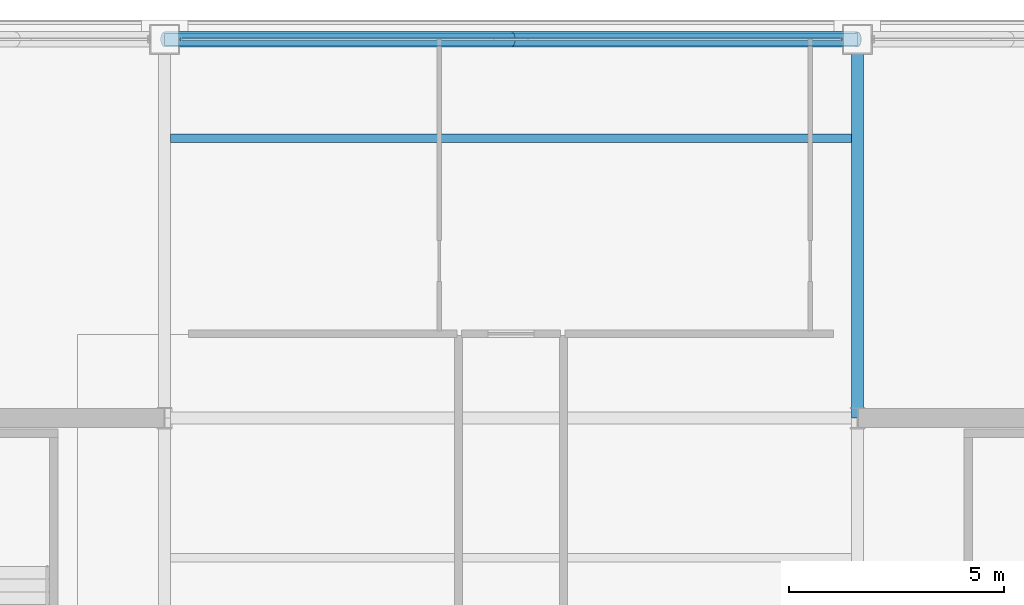
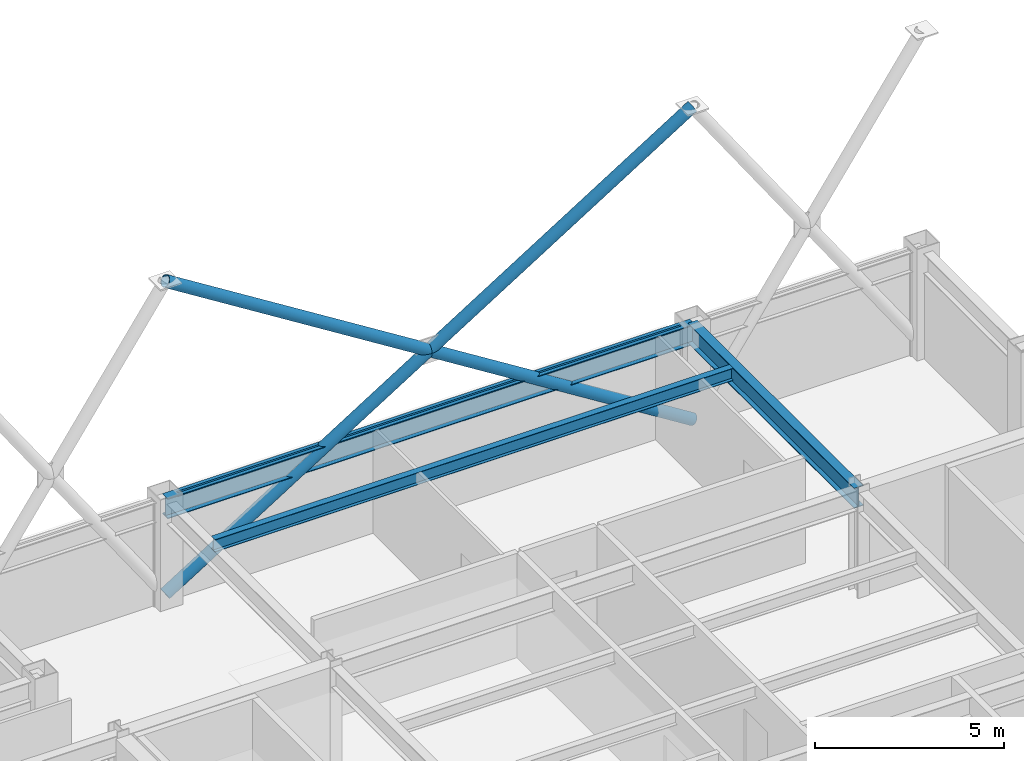
# One storey, part 24 of 33: 4 members, 3 beams, 1 element without a shape of its own.
"""IFC4 building model written with IfcOpenShell, lengths in metres."""

from ifc_helpers import new_model, si_unit, direction, frame, origin, origin_2d, place, context, subcontext, project, spatial, hollow_rectangle, hollow_circle, i_section, extrude, material, layer, layer_set, material_profile, profile_set, type_object, element, aggregate, save


model = new_model("IFC4")

# Units and contexts
model_context = context("Model", 3, precision=1e-05, world=origin(), true_north=direction((0.0, 1.0)))
body_context = subcontext(model_context, "Body", "Model", "MODEL_VIEW")
ifc_project = project(units=[si_unit("LENGTHUNIT", "METRE"), si_unit("AREAUNIT", "SQUARE_METRE"), si_unit("VOLUMEUNIT", "CUBIC_METRE"), si_unit("PLANEANGLEUNIT", "RADIAN"), si_unit("MASSUNIT", "GRAM", prefix="KILO")], contexts=[model_context])

# Site, building, storey
site_placement = place(None, origin())
site = spatial("IfcSite", under=ifc_project, at=site_placement, CompositionType="ELEMENT")
building_placement = place(site_placement, origin())
building = spatial("IfcBuilding", under=site, at=building_placement, Name="Brelmoor Portico Tower", CompositionType="ELEMENT")
storey_placement = place(building_placement, frame((0.0, 0.0, 183.89990234375)))
storey = spatial("IfcBuildingStorey", under=building, at=storey_placement, Name="L48", CompositionType="ELEMENT", Elevation=183.89990234375)

# Beams
ifc_material_1 = material(Name="Steel Q355B", Category="steel")
ifc_material_profile_1 = material_profile(ifc_material_1, i_section(OverallWidth=0.199951171875, OverallDepth=0.39990234375, WebThickness=0.008056640625, FlangeThickness=0.012939453125, at=origin_2d()), Name="HN 400x200x8x13")
ifc_profile_set_1 = profile_set([ifc_material_profile_1], Name="Steel Q355B")
beam_type_1 = type_object("IfcBeamType", Name="BM-JS-400", PredefinedType="JOIST", material=ifc_profile_set_1)
beam_1_placement = place(storey_placement, frame((-7.909912109375, 16.25, 3.2001953125), z_axis=(1.0, 0.0, 0.0), x_axis=(0.0, 1.0, 0.0)))
element("IfcBeam", 1, at=beam_1_placement, inside=storey, type_object=beam_type_1, Name="L48 Secondary Composite Joist JS-C04", PredefinedType="JOIST", context=body_context, shape_type="SweptSolid", body=[
    extrude(i_section(OverallWidth=0.199951171875, OverallDepth=0.39990234375, WebThickness=0.008056640625, FlangeThickness=0.012939453125, at=origin_2d()), origin(), (0.0, 0.0, 1.0), 15.81982421875),
])
ifc_material_profile_2 = material_profile(ifc_material_1, i_section(OverallWidth=0.280029296875, OverallDepth=0.64990234375, WebThickness=0.012939453125, FlangeThickness=0.02197265625, at=origin_2d()), Name="HN 650x280x13x22")
ifc_profile_set_2 = profile_set([ifc_material_profile_2], Name="Steel Q355B")
beam_type_2 = type_object("IfcBeamType", Name="BM-PG-650", PredefinedType="BEAM", material=ifc_profile_set_2)
beam_2_placement = place(storey_placement, frame((8.050048828125, 9.75, 3.0751953125), z_axis=(0.0, 1.0, 0.0), x_axis=(-1.0, 0.0, 0.0)))
element("IfcBeam", 2, at=beam_2_placement, inside=storey, type_object=beam_type_2, Name="L48 Primary Floor Girder PG-08", PredefinedType="BEAM", context=body_context, shape_type="SweptSolid", body=[
    extrude(i_section(OverallWidth=0.280029296875, OverallDepth=0.64990234375, WebThickness=0.012939453125, FlangeThickness=0.02197265625, at=origin_2d()), origin(), (0.0, 0.0, 1.0), 8.800048828125),
])
ifc_material_profile_3 = material_profile(ifc_material_1, i_section(OverallWidth=0.280029296875, OverallDepth=0.64990234375, WebThickness=0.012939453125, FlangeThickness=0.02197265625, at=origin_2d()), Name="HN 650x280x13x22")
ifc_profile_set_3 = profile_set([ifc_material_profile_3], Name="Steel Q355B")
beam_type_3 = type_object("IfcBeamType", Name="BM-SP-650", PredefinedType="SPANDREL", material=ifc_profile_set_3)
beam_3_placement = place(storey_placement, frame((-8.050048828125, 18.550048828125, 3.0751953125), z_axis=(1.0, 0.0, 0.0), x_axis=(0.0, 1.0, 0.0)))
element("IfcBeam", 3, at=beam_3_placement, inside=storey, type_object=beam_type_3, Name="L48 Perimeter Spandrel Beam SP-09", PredefinedType="SPANDREL", context=body_context, shape_type="SweptSolid", body=[
    extrude(i_section(OverallWidth=0.280029296875, OverallDepth=0.64990234375, WebThickness=0.012939453125, FlangeThickness=0.02197265625, at=origin_2d()), origin(), (0.0, 0.0, 1.0), 16.10009765625),
])

# Members
ifc_material_profile_4 = material_profile(ifc_material_1, hollow_circle(Radius=0.177978515625, WallThickness=0.01611328125, at=origin_2d()), Name="CHS 356x16")
ifc_profile_set_4 = profile_set([ifc_material_profile_4], Name="Steel Q355B")
member_type_1 = type_object("IfcMemberType", Name="MB-BELT-DIAG2", PredefinedType="BRACE", material=ifc_profile_set_4)
member_1_placement = place(storey_placement, frame((-8.050048828125, 18.550048828125, 0.25), z_axis=(0.847109476093, 0.0, 0.531418418493), x_axis=(0.0, 1.0, 0.0)))
element("IfcMember", 4, at=member_1_placement, inside=storey, type_object=member_type_1, Name="L48 Continuous Mega-X Brace 109A", PredefinedType="BRACE", context=body_context, shape_type="SweptSolid", body=[
    extrude(hollow_circle(Radius=0.177978515625, WallThickness=0.01611328125, at=origin_2d()), origin(), (0.0, 0.0, 1.0), 19.005859375),
])
for number, where, z_axis, x_axis, name in (
    (5, (8.050048828125, 18.550048828125, 0.25), (-0.847109476093, 0.0, 0.531418418493), (0.0, -1.0, 0.0), "L48 Split Mega-X Brace 109B1"),
    (6, (0.0, 18.550048828125, 5.300048828125), (-0.847109476093, 0.0, 0.531418418493), (0.0, -1.0, 0.0), "L48 Split Mega-X Brace 109B2"),
):
    element("IfcMember", number, at=place(storey_placement, frame(where, z_axis=z_axis, x_axis=x_axis)), inside=storey, type_object=member_type_1, Name=name, PredefinedType="BRACE", context=body_context, shape_type="SweptSolid", body=[
        extrude(hollow_circle(Radius=0.177978515625, WallThickness=0.01611328125, at=origin_2d()), origin(), (0.0, 0.0, 1.0), 9.5029296875),
    ])

# Curtain wall, member
ifc_material_2 = material(Name="Anodised Aluminium Alloy 6063-T6", Category="aluminium")
ifc_layer = layer(ifc_material_2, 0.179931640625)
ifc_layer_set = layer_set([ifc_layer], Name="Anodised Aluminium Alloy 6063-T6")
curtain_wall_type = type_object("IfcCurtainWallType", Name="CW-TOWER-Z3-XB", PredefinedType="NOTDEFINED", material=ifc_layer_set)
curtain_wall_placement = place(storey_placement, origin())
curtain_wall = element("IfcCurtainWall", 7, at=curtain_wall_placement, inside=storey, type_object=curtain_wall_type, Name="L48 Curtain Wall CW-L48-02-2", PredefinedType="NOTDEFINED")
ifc_material_profile_5 = material_profile(ifc_material_2, hollow_rectangle(XDim=0.06005859375, YDim=0.125, WallThickness=0.00341796875, at=origin_2d()), Name="ALU TRANSOM 60x125")
ifc_profile_set_5 = profile_set([ifc_material_profile_5], Name="Anodised Aluminium Alloy 6063-T6")
member_type_2 = type_object("IfcMemberType", Name="MB-CW-TRAN-125", PredefinedType="USERDEFINED", material=ifc_profile_set_5)
member_2_placement = place(storey_placement, frame((-7.68994140625, 18.550048828125, 3.337646484375), z_axis=(1.0, 0.0, 0.0), x_axis=(0.0, 1.0, 0.0)))
member_2 = element("IfcMember", 8, at=member_2_placement, type_object=member_type_2, Name="CW-L48-02-2 Transom 1-00", ObjectType="TRANSOM", PredefinedType="USERDEFINED", context=body_context, shape_type="SweptSolid", body=[
    extrude(hollow_rectangle(XDim=0.06005859375, YDim=0.125, WallThickness=0.00341796875, at=origin_2d()), origin(), (0.0, 0.0, 1.0), 15.3798828125),
])
aggregate(curtain_wall, [member_2])

save(model, "model.ifc")
